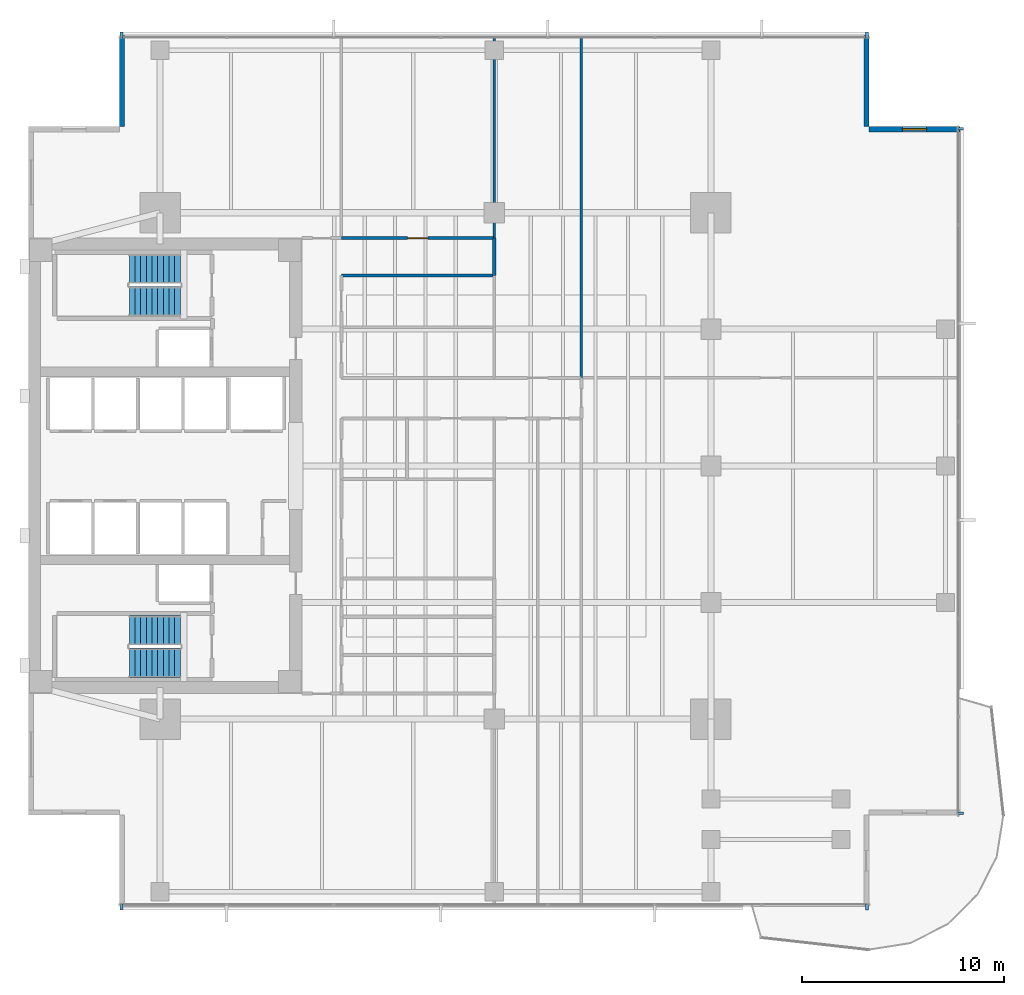
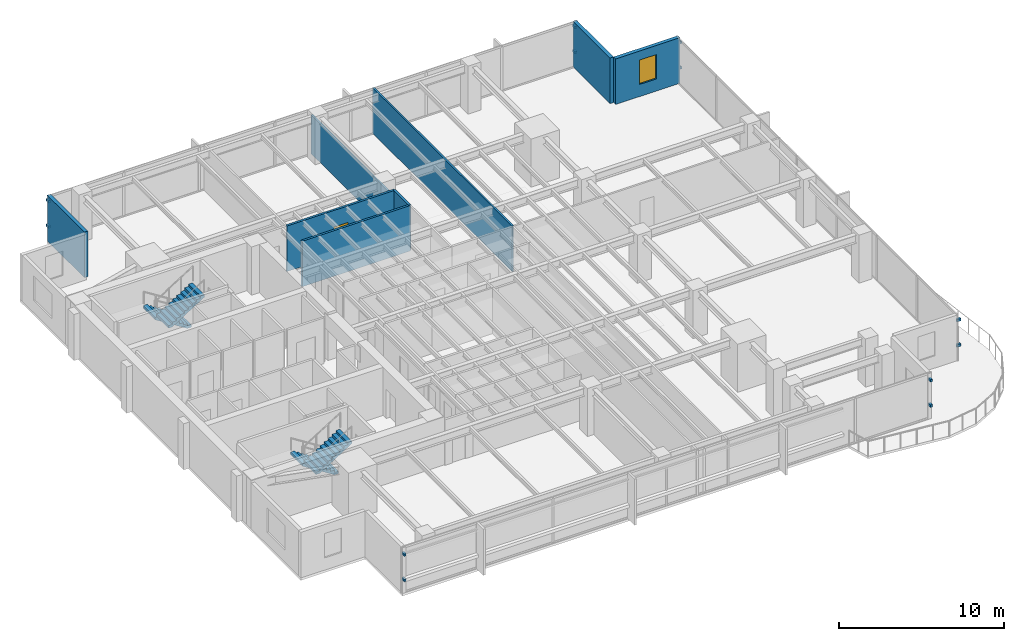
# One storey, part 10 of 14: 12 discrete accessories, 8 walls, 4 stair flights, 1 door, 1 window, 2 openings, 2 elements without a shape of their own.
"""IFC4 building model written with IfcOpenShell, lengths in metres."""

from ifc_helpers import new_model, si_unit, direction, frame, frame_2d, origin, origin_2d, place, context, subcontext, project, spatial, polyline, rectangle, outline, extrude, material, layer, layer_set, type_object, element, fill, aggregate, save


model = new_model("IFC4")

# Units and contexts
model_context = context("Model", 3, precision=1e-05, world=origin(), true_north=direction((0.0, 1.0)))
body_context = subcontext(model_context, "Body", "Model", "MODEL_VIEW")
ifc_project = project(units=[si_unit("LENGTHUNIT", "METRE"), si_unit("AREAUNIT", "SQUARE_METRE"), si_unit("VOLUMEUNIT", "CUBIC_METRE"), si_unit("PLANEANGLEUNIT", "RADIAN"), si_unit("MASSUNIT", "GRAM", prefix="KILO")], contexts=[model_context])

# Site, building, storey
site_placement = place(None, origin())
site = spatial("IfcSite", under=ifc_project, at=site_placement, CompositionType="ELEMENT")
building_placement = place(site_placement, origin())
building = spatial("IfcBuilding", under=site, at=building_placement, Name="Kinhvarn Gate Tower", CompositionType="ELEMENT")
storey_placement = place(building_placement, frame((0.0, 0.0, 162.60009765625)))
storey = spatial("IfcBuildingStorey", under=building, at=storey_placement, Name="L43", CompositionType="ELEMENT", Elevation=162.60009765625)

# Wall, opening, window
ifc_material_1 = material(Name="Fired architectural terracotta", Category="masonry")
ifc_layer_1 = layer(ifc_material_1, 0.25)
ifc_layer_set_1 = layer_set([ifc_layer_1], Name="Fired architectural terracotta")
wall_type_1 = type_object("IfcWallType", Name="WL-EXT-250", PredefinedType="SOLIDWALL", material=ifc_layer_set_1)
wall_1_placement = place(storey_placement, frame((50.5, 41.875, 0.0), z_axis=(0.0, 0.0, 1.0), x_axis=(-1.0, 0.0, 0.0)))
wall_1 = element("IfcWall", 1, at=wall_1_placement, inside=storey, type_object=wall_type_1, Name="Exterior Solidwall Wall EW-250 (L43 NE-Notch-1)", PredefinedType="SOLIDWALL", context=body_context, shape_type="SweptSolid", body=[
    extrude(rectangle(XDim=4.5, YDim=0.25, at=frame_2d((2.25, 0.0))), origin(), (0.0, 0.0, 1.0), 3.369873046875),
])
opening_1_placement = place(wall_1_placement, frame((1.64990234375, 0.0, 0.89990234375)))
opening_1 = element("IfcOpeningElement", 2, at=opening_1_placement, cuts=wall_1, Name="Opening WN-02", PredefinedType="OPENING", context=body_context, shape_type="SweptSolid", body=[
    extrude(rectangle(XDim=1.199951171875, YDim=1.800048828125, at=frame_2d((0.60009765625, 0.89990234375))), frame((0.0, 0.135009765625, 0.0), z_axis=(0.0, -1.0, 0.0), x_axis=(1.0, 0.0, 0.0)), (0.0, 0.0, 1.0), 0.27001953125),
])
ifc_material_2 = material(Name="Clear low-e double glazing", Category="glass")
window_type = type_object("IfcWindowType", Name="WIN-NTC-1200", PartitioningType="SINGLE_PANEL", PredefinedType="WINDOW", material=ifc_material_2)
window_placement = place(opening_1_placement, origin())
window = element("IfcWindow", 3, at=window_placement, inside=storey, type_object=window_type, Name="Recessed Corner Notch Punched Window 1200x1800 mm (L43)", OverallHeight=1.800048828125, OverallWidth=1.199951171875, PartitioningType="SINGLE_PANEL", PredefinedType="WINDOW", context=body_context, shape_type="SweptSolid", body=[
    extrude(rectangle(XDim=1.199951171875, YDim=1.800048828125, at=frame_2d((0.60009765625, 0.89990234375))), frame((0.0, 0.030029296875, 0.0), z_axis=(0.0, -1.0, 0.0), x_axis=(1.0, 0.0, 0.0)), (0.0, 0.0, 1.0), 0.06005859375),
])
fill(opening_1, window)

# Walls
for number, where, z_axis, x_axis, name in (
    (4, (45.875, 42.0, 0.0), (0.0, 0.0, 1.0), (0.0, 1.0, 0.0), "Exterior Solidwall Wall EW-250 (L43 NE-Notch-2)"),
    (5, (9.125, 46.5, 0.0), (0.0, 0.0, 1.0), (0.0, -1.0, 0.0), "Exterior Solidwall Wall EW-250 (L43 NW-Notch-1)"),
):
    element("IfcWall", number, at=place(storey_placement, frame(where, z_axis=z_axis, x_axis=x_axis)), inside=storey, type_object=wall_type_1, Name=name, PredefinedType="SOLIDWALL", context=body_context, shape_type="SweptSolid", body=[
        extrude(rectangle(XDim=4.5, YDim=0.25, at=frame_2d((2.25, 0.0))), origin(), (0.0, 0.0, 1.0), 3.369873046875),
    ])
ifc_material_3 = material(Name="Gypsum acoustic partition board")
ifc_layer_2 = layer(ifc_material_3, 0.1201171875)
ifc_layer_set_2 = layer_set([ifc_layer_2], Name="Gypsum acoustic partition board")
wall_type_2 = type_object("IfcWallType", Name="WL-PRT-120", PredefinedType="PARTITIONING", material=ifc_layer_set_2)
wall_2_placement = place(storey_placement, frame((27.5, 36.5, 0.0), z_axis=(0.0, 0.0, 1.0), x_axis=(0.0, 1.0, 0.0)))
element("IfcWall", 6, at=wall_2_placement, inside=storey, type_object=wall_type_2, Name="Interior Partition PW-120 (L43)", PredefinedType="PARTITIONING", context=body_context, shape_type="SweptSolid", body=[
    extrude(rectangle(XDim=9.989990234375, YDim=0.1201171875, at=frame_2d((4.9951171875, 0.0))), origin(), (0.0, 0.0, 1.0), 2.869873046875),
])
wall_3_placement = place(storey_placement, frame((31.800048828125, 29.60009765625, 0.0), z_axis=(0.0, 0.0, 1.0), x_axis=(0.0, 1.0, 0.0)))
element("IfcWall", 7, at=wall_3_placement, inside=storey, type_object=wall_type_2, Name="Interior Partition PW-120 (L43)", PredefinedType="PARTITIONING", context=body_context, shape_type="SweptSolid", body=[
    extrude(rectangle(XDim=16.889892578125, YDim=0.1201171875, at=frame_2d((8.44482421875, 0.0))), origin(), (0.0, 0.0, 1.0), 3.369873046875),
])
ifc_layer_3 = layer(ifc_material_3, 0.14990234375)
ifc_layer_set_3 = layer_set([ifc_layer_3], Name="Gypsum acoustic partition board")
wall_type_3 = type_object("IfcWallType", Name="WL-PRT-150F", PredefinedType="PARTITIONING", material=ifc_layer_set_3)
wall_4_placement = place(storey_placement, frame((19.949951171875, 34.64990234375, 0.0), z_axis=(0.0, 0.0, 1.0), x_axis=(1.0, 0.0, 0.0)))
element("IfcWall", 8, at=wall_4_placement, inside=storey, type_object=wall_type_3, Name="Interior Partition PW-150F (L43)", PredefinedType="PARTITIONING", context=body_context, shape_type="SweptSolid", body=[
    extrude(rectangle(XDim=7.550048828125, YDim=0.14990234375, at=frame_2d((3.77490234375, 0.0))), origin(), (0.0, 0.0, 1.0), 3.369873046875),
])

# Wall, opening, door
wall_5_placement = place(storey_placement, frame((19.949951171875, 36.5, 0.0), z_axis=(0.0, 0.0, 1.0), x_axis=(1.0, 0.0, 0.0)))
wall_5 = element("IfcWall", 9, at=wall_5_placement, inside=storey, type_object=wall_type_3, Name="Interior Partition PW-150F (L43)", PredefinedType="PARTITIONING", context=body_context, shape_type="SweptSolid", body=[
    extrude(rectangle(XDim=7.550048828125, YDim=0.14990234375, at=frame_2d((3.77490234375, 0.0))), origin(), (0.0, 0.0, 1.0), 3.369873046875),
])
opening_2_placement = place(wall_5_placement, frame((3.27490234375, 0.0, 0.0)))
opening_2 = element("IfcOpeningElement", 10, at=opening_2_placement, cuts=wall_5, Name="Opening ID-02", PredefinedType="OPENING", context=body_context, shape_type="SweptSolid", body=[
    extrude(rectangle(XDim=1.0, YDim=2.14990234375, at=frame_2d((0.5, 1.074951171875))), frame((0.0, 0.0849609375, 0.0), z_axis=(0.0, -1.0, 0.0), x_axis=(1.0, 0.0, 0.0)), (0.0, 0.0, 1.0), 0.169921875),
])
ifc_material_4 = material(Name="Anodised aluminium AW-6063", Category="aluminium")
door_type = type_object("IfcDoorType", Name="DR-INT-1000", OperationType="NOTDEFINED", PredefinedType="DOOR", material=ifc_material_4)
door_placement = place(opening_2_placement, origin())
door = element("IfcDoor", 11, at=door_placement, inside=storey, type_object=door_type, Name="Standard Office & Meeting Room Door 1000x2150 mm (L43)", OperationType="SINGLE_SWING_RIGHT", OverallHeight=2.14990234375, OverallWidth=1.0, PredefinedType="DOOR", context=body_context, shape_type="SweptSolid", body=[
    extrude(rectangle(XDim=1.0, YDim=2.14990234375, at=frame_2d((0.5, 1.074951171875))), frame((0.0, 0.02490234375, 0.0), z_axis=(0.0, -1.0, 0.0), x_axis=(1.0, 0.0, 0.0)), (0.0, 0.0, 1.0), 0.050048828125),
])
fill(opening_2, door)

# Wall
wall_6_placement = place(storey_placement, frame((27.5, 34.64990234375, 0.0), z_axis=(0.0, 0.0, 1.0), x_axis=(0.0, 1.0, 0.0)))
element("IfcWall", 12, at=wall_6_placement, inside=storey, type_object=wall_type_3, Name="Interior Partition PW-150F (L43)", PredefinedType="PARTITIONING", context=body_context, shape_type="SweptSolid", body=[
    extrude(rectangle(XDim=1.85009765625, YDim=0.14990234375, at=frame_2d((0.925048828125, 0.0))), origin(), (0.0, 0.0, 1.0), 3.369873046875),
])

# Stair, stair flights
ifc_material_5 = material(Name="Concrete C40/50", Category="concrete")
stair_type = type_object("IfcStairType", Name="STR-DLG-178", PredefinedType="HALF_TURN_STAIR", material=ifc_material_5)
stair_1_placement = place(storey_placement, origin())
stair_1 = element("IfcStair", 13, at=stair_1_placement, inside=storey, type_object=stair_type, Name="L43 Core Smokeproof Exit Stair ST1", PredefinedType="HALF_TURN_STAIR")
stair_flight_type = type_object("IfcStairFlightType", Name="STF-DLG-178", PredefinedType="STRAIGHT", material=ifc_material_5)
stair_flight_1_placement = place(storey_placement, frame((12.0, 17.125, 0.0), z_axis=(0.0, 0.0, 1.0), x_axis=(-1.0, 0.0, 0.0)))
stair_flight_1 = element("IfcStairFlight", 14, at=stair_flight_1_placement, type_object=stair_flight_type, Name="ST1 flight 1", NumberOfRisers=10, NumberOfTreads=9, PredefinedType="STRAIGHT", RiserHeight=0.1775, TreadLength=0.28, context=body_context, shape_type="SweptSolid", body=[
    extrude(outline(polyline([(0.0, 0.0), (0.0, 0.177490234375), (0.280029296875, 0.177490234375), (0.280029296875, 0.35498046875), (0.56005859375, 0.35498046875), (0.56005859375, 0.532470703125), (0.840087890625, 0.532470703125), (0.840087890625, 0.7099609375), (1.1201171875, 0.7099609375), (1.1201171875, 0.887451171875), (1.39990234375, 0.887451171875), (1.39990234375, 1.06494140625), (1.679931640625, 1.06494140625), (1.679931640625, 1.242431640625), (1.9599609375, 1.242431640625), (1.9599609375, 1.419921875), (2.239990234375, 1.419921875), (2.239990234375, 1.597412109375), (2.52001953125, 1.597412109375), (2.52001953125, 1.77490234375), (2.52001953125, 1.419921875), (0.280029296875, 0.0), (0.0, 0.0)])), frame((0.0, 0.72509765625, 0.0), z_axis=(0.0, -1.0, 0.0), x_axis=(1.0, 0.0, 0.0)), (0.0, 0.0, 1.0), 1.449951171875),
])
stair_flight_2_placement = place(storey_placement, frame((9.47998046875, 15.52490234375, 1.77490234375), z_axis=(0.0, 0.0, 1.0), x_axis=(1.0, 0.0, 0.0)))
stair_flight_2 = element("IfcStairFlight", 15, at=stair_flight_2_placement, type_object=stair_flight_type, Name="ST1 flight 2", NumberOfRisers=10, NumberOfTreads=9, PredefinedType="STRAIGHT", RiserHeight=0.1775, TreadLength=0.28, context=body_context, shape_type="SweptSolid", body=[
    extrude(outline(polyline([(0.0, 0.0), (0.0, 0.177490234375), (0.280029296875, 0.177490234375), (0.280029296875, 0.35498046875), (0.56005859375, 0.35498046875), (0.56005859375, 0.532470703125), (0.840087890625, 0.532470703125), (0.840087890625, 0.7099609375), (1.1201171875, 0.7099609375), (1.1201171875, 0.887451171875), (1.39990234375, 0.887451171875), (1.39990234375, 1.06494140625), (1.679931640625, 1.06494140625), (1.679931640625, 1.242431640625), (1.9599609375, 1.242431640625), (1.9599609375, 1.419921875), (2.239990234375, 1.419921875), (2.239990234375, 1.597412109375), (2.52001953125, 1.597412109375), (2.52001953125, 1.77490234375), (2.52001953125, 1.419921875), (0.280029296875, 0.0), (0.0, 0.0)])), frame((0.0, 0.72509765625, 0.0), z_axis=(0.0, -1.0, 0.0), x_axis=(1.0, 0.0, 0.0)), (0.0, 0.0, 1.0), 1.449951171875),
])
aggregate(stair_1, [stair_flight_1, stair_flight_2])

stair_2_placement = place(storey_placement, origin())
stair_2 = element("IfcStair", 16, at=stair_2_placement, inside=storey, type_object=stair_type, Name="L43 Core Smokeproof Exit Stair ST2", PredefinedType="HALF_TURN_STAIR")
stair_flight_3_placement = place(storey_placement, frame((12.0, 34.97509765625, 0.0), z_axis=(0.0, 0.0, 1.0), x_axis=(-1.0, 0.0, 0.0)))
stair_flight_3 = element("IfcStairFlight", 17, at=stair_flight_3_placement, type_object=stair_flight_type, Name="ST2 flight 1", NumberOfRisers=10, NumberOfTreads=9, PredefinedType="STRAIGHT", RiserHeight=0.1775, TreadLength=0.28, context=body_context, shape_type="SweptSolid", body=[
    extrude(outline(polyline([(0.0, 0.0), (0.0, 0.177490234375), (0.280029296875, 0.177490234375), (0.280029296875, 0.35498046875), (0.56005859375, 0.35498046875), (0.56005859375, 0.532470703125), (0.840087890625, 0.532470703125), (0.840087890625, 0.7099609375), (1.1201171875, 0.7099609375), (1.1201171875, 0.887451171875), (1.39990234375, 0.887451171875), (1.39990234375, 1.06494140625), (1.679931640625, 1.06494140625), (1.679931640625, 1.242431640625), (1.9599609375, 1.242431640625), (1.9599609375, 1.419921875), (2.239990234375, 1.419921875), (2.239990234375, 1.597412109375), (2.52001953125, 1.597412109375), (2.52001953125, 1.77490234375), (2.52001953125, 1.419921875), (0.280029296875, 0.0), (0.0, 0.0)])), frame((0.0, 0.72509765625, 0.0), z_axis=(0.0, -1.0, 0.0), x_axis=(1.0, 0.0, 0.0)), (0.0, 0.0, 1.0), 1.449951171875),
])
stair_flight_4_placement = place(storey_placement, frame((9.47998046875, 33.375, 1.77490234375), z_axis=(0.0, 0.0, 1.0), x_axis=(1.0, 0.0, 0.0)))
stair_flight_4 = element("IfcStairFlight", 18, at=stair_flight_4_placement, type_object=stair_flight_type, Name="ST2 flight 2", NumberOfRisers=10, NumberOfTreads=9, PredefinedType="STRAIGHT", RiserHeight=0.1775, TreadLength=0.28, context=body_context, shape_type="SweptSolid", body=[
    extrude(outline(polyline([(0.0, 0.0), (0.0, 0.177490234375), (0.280029296875, 0.177490234375), (0.280029296875, 0.35498046875), (0.56005859375, 0.35498046875), (0.56005859375, 0.532470703125), (0.840087890625, 0.532470703125), (0.840087890625, 0.7099609375), (1.1201171875, 0.7099609375), (1.1201171875, 0.887451171875), (1.39990234375, 0.887451171875), (1.39990234375, 1.06494140625), (1.679931640625, 1.06494140625), (1.679931640625, 1.242431640625), (1.9599609375, 1.242431640625), (1.9599609375, 1.419921875), (2.239990234375, 1.419921875), (2.239990234375, 1.597412109375), (2.52001953125, 1.597412109375), (2.52001953125, 1.77490234375), (2.52001953125, 1.419921875), (0.280029296875, 0.0), (0.0, 0.0)])), frame((0.0, 0.72509765625, 0.0), z_axis=(0.0, -1.0, 0.0), x_axis=(1.0, 0.0, 0.0)), (0.0, 0.0, 1.0), 1.449951171875),
])
aggregate(stair_2, [stair_flight_3, stair_flight_4])

# Discrete accessories
discrete_accessory_type = type_object("IfcDiscreteAccessoryType", Name="ACC-BRK-01", PredefinedType="BRACKET", material=ifc_material_4)
for number, where, z_axis, x_axis, name in (
    (19, (9.10009765625, 3.469970703125, 0.9599609375), (0.0, 0.0, 1.0), (1.0, 0.0, 0.0), "Baguette Support Bracket BK-01 (L43)"),
    (20, (9.10009765625, 3.469970703125, 2.830078125), (0.0, 0.0, 1.0), (1.0, 0.0, 0.0), "Baguette Support Bracket BK-01 (L43)"),
    (21, (45.89990234375, 3.469970703125, 0.9599609375), (0.0, 0.0, 1.0), (1.0, 0.0, 0.0), "Baguette Support Bracket BK-01 (L43)"),
    (22, (45.89990234375, 3.469970703125, 2.830078125), (0.0, 0.0, 1.0), (1.0, 0.0, 0.0), "Baguette Support Bracket BK-01 (L43)"),
    (23, (45.89990234375, 46.530029296875, 0.9599609375), (0.0, 0.0, 1.0), (-1.0, 0.0, 0.0), "Baguette Support Bracket BK-01 (L43)"),
    (24, (45.89990234375, 46.530029296875, 2.830078125), (0.0, 0.0, 1.0), (-1.0, 0.0, 0.0), "Baguette Support Bracket BK-01 (L43)"),
    (25, (9.10009765625, 46.530029296875, 0.9599609375), (0.0, 0.0, 1.0), (-1.0, 0.0, 0.0), "Baguette Support Bracket BK-01 (L43)"),
    (26, (9.10009765625, 46.530029296875, 2.830078125), (0.0, 0.0, 1.0), (-1.0, 0.0, 0.0), "Baguette Support Bracket BK-01 (L43)"),
    (27, (50.530029296875, 8.10009765625, 0.9599609375), (0.0, 0.0, 1.0), (0.0, 1.0, 0.0), "Baguette Support Bracket BK-01 (L43)"),
    (28, (50.530029296875, 8.10009765625, 2.830078125), (0.0, 0.0, 1.0), (0.0, 1.0, 0.0), "Baguette Support Bracket BK-01 (L43)"),
    (29, (50.530029296875, 41.89990234375, 0.9599609375), (0.0, 0.0, 1.0), (0.0, 1.0, 0.0), "Baguette Support Bracket BK-01 (L43)"),
    (30, (50.530029296875, 41.89990234375, 2.830078125), (0.0, 0.0, 1.0), (0.0, 1.0, 0.0), "Baguette Support Bracket BK-01 (L43)"),
):
    element("IfcDiscreteAccessory", number, at=place(storey_placement, frame(where, z_axis=z_axis, x_axis=x_axis)), inside=storey, type_object=discrete_accessory_type, Name=name, PredefinedType="BRACKET", context=body_context, shape_type="SweptSolid", body=[
        extrude(rectangle(XDim=0.139892578125, YDim=0.280029296875, at=origin_2d()), origin(), (0.0, 0.0, 1.0), 0.179931640625),
    ])

save(model, "model.ifc")
